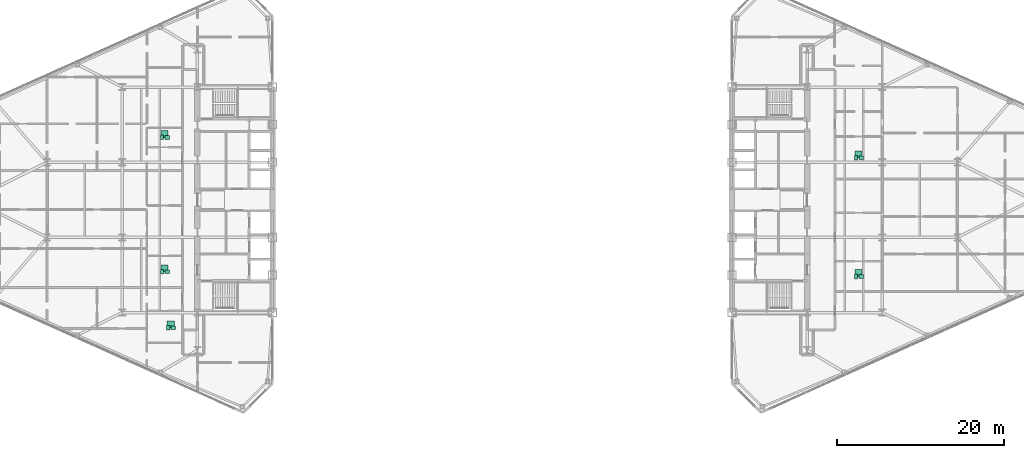
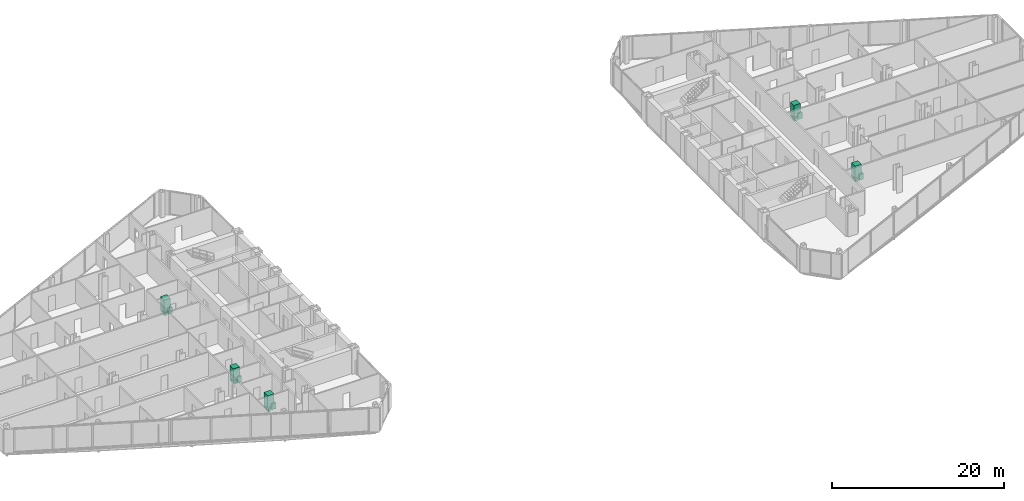
# One storey, part 27 of 27: 15 sanitary terminals.
"""IFC4 building model written with IfcOpenShell, lengths in metres."""

from ifc_helpers import new_model, si_unit, direction, frame, origin, origin_2d, place, context, subcontext, project, spatial, rectangle, extrude, source, transform, mapped, material, type_object, type_shapes, element, save


model = new_model("IFC4")

# Units and contexts
model_context = context("Model", 3, precision=1e-05, world=origin(), true_north=direction((0.0, 1.0)))
body_context = subcontext(model_context, "Body", "Model", "MODEL_VIEW")
ifc_project = project(units=[si_unit("LENGTHUNIT", "METRE"), si_unit("AREAUNIT", "SQUARE_METRE"), si_unit("VOLUMEUNIT", "CUBIC_METRE"), si_unit("PLANEANGLEUNIT", "RADIAN"), si_unit("MASSUNIT", "GRAM", prefix="KILO")], contexts=[model_context])

# Site, building, storey
site_placement = place(None, origin())
site = spatial("IfcSite", under=ifc_project, at=site_placement, CompositionType="ELEMENT")
building_placement = place(site_placement, origin())
building = spatial("IfcBuilding", under=site, at=building_placement, Name="Seokmaru Belvedere", CompositionType="ELEMENT")
storey_placement = place(building_placement, frame((0.0, 0.0, 106.800048828125)))
storey = spatial("IfcBuildingStorey", under=building, at=storey_placement, Name="L28", CompositionType="ELEMENT", Elevation=106.800048828125)

# Sanitary terminals
ifc_material_1 = material(Name="Vitreous China Sanitaryware")
sanitary_terminal_type_1 = type_object("IfcSanitaryTerminalType", Name="Wall-Hung Vitreous China WC Pan", PredefinedType="TOILETPAN", material=ifc_material_1)
shared_shape_1 = source(origin(), body_context, "Body", "SweptSolid", [
    extrude(rectangle(XDim=0.3798828125, YDim=0.56005859375, at=origin_2d()), origin(), (0.0, 0.0, 1.0), 0.419921875),
])
type_shapes(sanitary_terminal_type_1, [shared_shape_1])
for number, where, z_axis, x_axis, name in (
    (1, (-40.0, -15.33203125, 0.0), (0.0, 0.0, 1.0), (1.0, 0.0, 0.0), "L28 Vitreous China WC 0159"),
    (2, (-40.72509765625, -8.611083984375, 0.0), (0.0, 0.0, 1.0), (1.0, 0.0, 0.0), "L28 Vitreous China WC 0160"),
    (3, (-40.72509765625, 7.469970703125, 0.0), (0.0, 0.0, 1.0), (1.0, 0.0, 0.0), "L28 Vitreous China WC 0161"),
    (4, (42.375, -9.177978515625, 0.0), (0.0, 0.0, 1.0), (1.0, 0.0, 0.0), "L28 Vitreous China WC 0162"),
    (5, (42.375, 5.0390625, 0.0), (0.0, 0.0, 1.0), (1.0, 0.0, 0.0), "L28 Vitreous China WC 0163"),
):
    element("IfcSanitaryTerminal", number, at=place(storey_placement, frame(where, z_axis=z_axis, x_axis=x_axis)), inside=storey, type_object=sanitary_terminal_type_1, Name=name, PredefinedType="TOILETPAN", context=body_context, shape_type="MappedRepresentation", body=[
        mapped(shared_shape_1, transform((0.0, 0.0, 0.0), scale=1.0)),
    ])
sanitary_terminal_type_2 = type_object("IfcSanitaryTerminalType", Name="Countertop Ceramic Washhand Basin", PredefinedType="WASHHANDBASIN", material=ifc_material_1)
shared_shape_2 = source(origin(), body_context, "Body", "SweptSolid", [
    extrude(rectangle(XDim=0.550048828125, YDim=0.449951171875, at=origin_2d()), origin(), (0.0, 0.0, 1.0), 0.820068359375),
])
type_shapes(sanitary_terminal_type_2, [shared_shape_2])
for number, where, z_axis, x_axis, name in (
    (6, (-39.39990234375, -15.33203125, 0.0), (0.0, 0.0, 1.0), (1.0, 0.0, 0.0), "L28 Ceramic Washhand Basin 0159"),
    (7, (-40.125, -8.611083984375, 0.0), (0.0, 0.0, 1.0), (1.0, 0.0, 0.0), "L28 Ceramic Washhand Basin 0160"),
    (8, (-40.125, 7.469970703125, 0.0), (0.0, 0.0, 1.0), (1.0, 0.0, 0.0), "L28 Ceramic Washhand Basin 0161"),
    (9, (42.97509765625, -9.177978515625, 0.0), (0.0, 0.0, 1.0), (1.0, 0.0, 0.0), "L28 Ceramic Washhand Basin 0162"),
    (10, (42.97509765625, 5.0390625, 0.0), (0.0, 0.0, 1.0), (1.0, 0.0, 0.0), "L28 Ceramic Washhand Basin 0163"),
):
    element("IfcSanitaryTerminal", number, at=place(storey_placement, frame(where, z_axis=z_axis, x_axis=x_axis)), inside=storey, type_object=sanitary_terminal_type_2, Name=name, PredefinedType="WASHHANDBASIN", context=body_context, shape_type="MappedRepresentation", body=[
        mapped(shared_shape_2, transform((0.0, 0.0, 0.0), scale=1.0)),
    ])
ifc_material_2 = material(Name="Stainless Steel 316", Category="steel")
sanitary_terminal_type_3 = type_object("IfcSanitaryTerminalType", Name="Walk-In Thermostatic Rain Shower Enclosure", PredefinedType="SHOWER", material=ifc_material_2)
shared_shape_3 = source(origin(), body_context, "Body", "SweptSolid", [
    extrude(rectangle(XDim=0.85009765625, YDim=0.85009765625, at=origin_2d()), origin(), (0.0, 0.0, 1.0), 2.050048828125),
])
type_shapes(sanitary_terminal_type_3, [shared_shape_3])
for number, where, z_axis, x_axis, name in (
    (11, (-39.699951171875, -14.951904296875, 0.0), (0.0, 0.0, 1.0), (1.0, 0.0, 0.0), "L28 Walk-In Shower 0159"),
    (12, (-40.425048828125, -8.23095703125, 0.0), (0.0, 0.0, 1.0), (1.0, 0.0, 0.0), "L28 Walk-In Shower 0160"),
    (13, (-40.425048828125, 7.85009765625, 0.0), (0.0, 0.0, 1.0), (1.0, 0.0, 0.0), "L28 Walk-In Shower 0161"),
    (14, (42.675048828125, -8.798095703125, 0.0), (0.0, 0.0, 1.0), (1.0, 0.0, 0.0), "L28 Walk-In Shower 0162"),
    (15, (42.675048828125, 5.4189453125, 0.0), (0.0, 0.0, 1.0), (1.0, 0.0, 0.0), "L28 Walk-In Shower 0163"),
):
    element("IfcSanitaryTerminal", number, at=place(storey_placement, frame(where, z_axis=z_axis, x_axis=x_axis)), inside=storey, type_object=sanitary_terminal_type_3, Name=name, PredefinedType="SHOWER", context=body_context, shape_type="MappedRepresentation", body=[
        mapped(shared_shape_3, transform((0.0, 0.0, 0.0), scale=1.0)),
    ])

save(model, "model.ifc")
